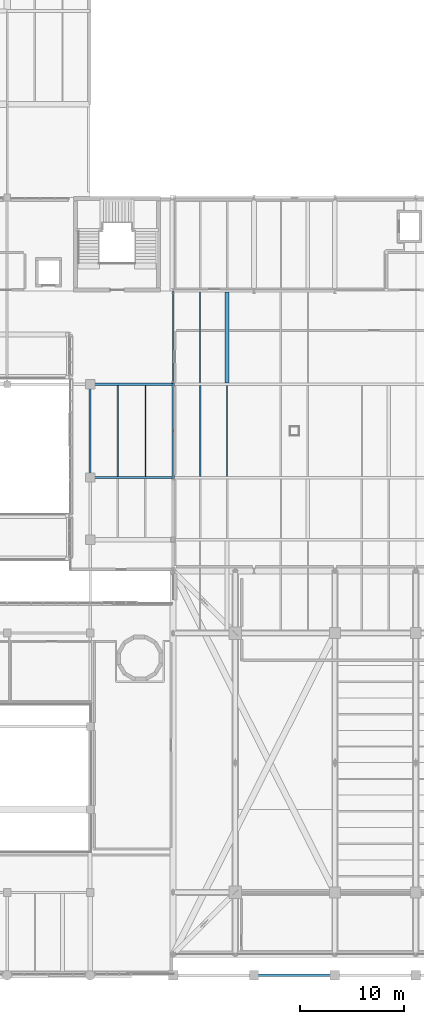
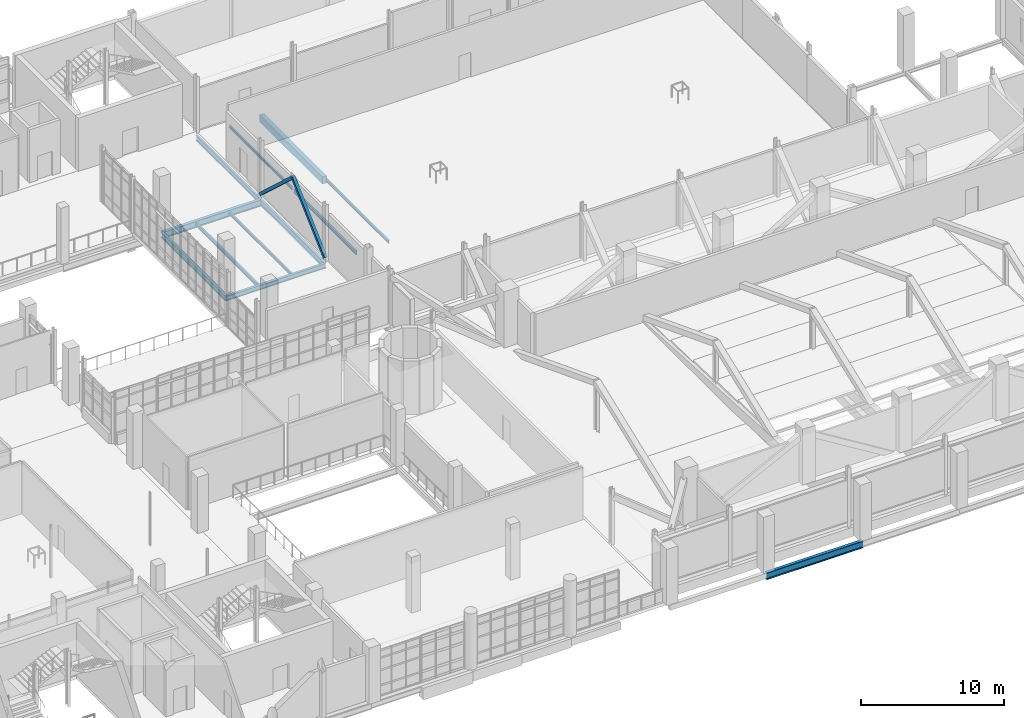
# One storey, part 39 of 127: 12 beams, 2 members.
"""IFC4 building model written with IfcOpenShell, lengths in metres."""

from ifc_helpers import new_model, si_unit, derived_unit, direction, frame, origin, origin_2d, place, context, subcontext, project, spatial, rectangle, hollow_rectangle, i_section, extrude, material, material_profile, profile_set, type_object, element, save


model = new_model("IFC4")

# Units and contexts
model_context = context("Model", 3, precision=1e-05, world=origin(), true_north=direction((0.0, 1.0)))
body_context = subcontext(model_context, "Body", "Model", "MODEL_VIEW")
ifc_project = project(units=[si_unit("LENGTHUNIT", "METRE"), si_unit("AREAUNIT", "SQUARE_METRE"), si_unit("VOLUMEUNIT", "CUBIC_METRE"), si_unit("PLANEANGLEUNIT", "RADIAN"), si_unit("MASSUNIT", "GRAM", prefix="KILO"), derived_unit("THERMALTRANSMITTANCEUNIT", [(si_unit("POWERUNIT", "WATT"), 1), (si_unit("LENGTHUNIT", "METRE"), -2), (si_unit("THERMODYNAMICTEMPERATUREUNIT", "KELVIN"), -1)])], contexts=[model_context])

# Site, building, storey
site_placement = place(None, origin())
site = spatial("IfcSite", under=ifc_project, at=site_placement, CompositionType="ELEMENT")
building_placement = place(site_placement, origin())
building = spatial("IfcBuilding", under=site, at=building_placement, Name="Nallur Shell Playhouse", CompositionType="ELEMENT")
storey_placement = place(building_placement, frame((0.0, 0.0, 5.39990234375)))
storey = spatial("IfcBuildingStorey", under=building, at=storey_placement, Name="L02", CompositionType="ELEMENT", Elevation=5.39990234375)

# Beams
ifc_material_1 = material(Name="Steel E250", Category="steel")
ifc_material_profile_1 = material_profile(ifc_material_1, i_section(OverallWidth=0.110107421875, OverallDepth=0.22509765625, WebThickness=0.006591796875, FlangeThickness=0.01171875, FilletRadius=0.011962890625, at=origin_2d()), Name="ISMB 225")
ifc_profile_set_1 = profile_set([ifc_material_profile_1], Name="Steel E250")
beam_type_1 = type_object("IfcBeamType", Name="BM-JST-ISMB225", PredefinedType="JOIST", material=ifc_profile_set_1)
beam_1_placement = place(storey_placement, frame((66.60009765625, 65.123046875, -0.392333984375), z_axis=(0.0, 1.0, 0.0), x_axis=(-1.0, 0.0, 0.0)))
element("IfcBeam", 1, at=beam_1_placement, inside=storey, type_object=beam_type_1, Name="L02 secondary joist 8-H-539", PredefinedType="JOIST", context=body_context, shape_type="SweptSolid", body=[
    extrude(i_section(OverallWidth=0.110107421875, OverallDepth=0.22509765625, WebThickness=0.006591796875, FlangeThickness=0.01171875, FilletRadius=0.011962890625, at=origin_2d()), origin(), (0.0, 0.0, 1.0), 8.779052734375),
])
ifc_material_profile_2 = material_profile(ifc_material_1, i_section(OverallWidth=0.125, OverallDepth=0.25, WebThickness=0.0068359375, FlangeThickness=0.012451171875, FilletRadius=0.012939453125, at=origin_2d()), Name="ISMB 250")
ifc_profile_set_2 = profile_set([ifc_material_profile_2], Name="Steel E250")
beam_type_2 = type_object("IfcBeamType", Name="BM-JST-ISMB250", PredefinedType="JOIST", material=ifc_profile_set_2)
beam_2_placement = place(storey_placement, frame((61.333251953125, 56.097900390625, -0.40478515625), z_axis=(0.0, 1.0, 0.0), x_axis=(-1.0, 0.0, 0.0)))
element("IfcBeam", 2, at=beam_2_placement, inside=storey, type_object=beam_type_2, Name="L02 secondary joist 7-G-532", PredefinedType="JOIST", context=body_context, shape_type="SweptSolid", body=[
    extrude(i_section(OverallWidth=0.125, OverallDepth=0.25, WebThickness=0.0068359375, FlangeThickness=0.012451171875, FilletRadius=0.012939453125, at=origin_2d()), origin(), (0.0, 0.0, 1.0), 8.779052734375),
])
beam_3_placement = place(storey_placement, frame((69.199951171875, 56.123046875, -0.40478515625), z_axis=(0.0, 1.0, 0.0), x_axis=(-1.0, 0.0, 0.0)))
element("IfcBeam", 3, at=beam_3_placement, inside=storey, type_object=beam_type_2, Name="L02 secondary joist 8-G-538", PredefinedType="JOIST", context=body_context, shape_type="SweptSolid", body=[
    extrude(i_section(OverallWidth=0.125, OverallDepth=0.25, WebThickness=0.0068359375, FlangeThickness=0.012451171875, FilletRadius=0.012939453125, at=origin_2d()), origin(), (0.0, 0.0, 1.0), 8.75390625),
])
ifc_material_profile_3 = material_profile(ifc_material_1, i_section(OverallWidth=0.139892578125, OverallDepth=0.300048828125, WebThickness=0.0078125, FlangeThickness=0.01318359375, FilletRadius=0.013916015625, at=origin_2d()), Name="ISMB 300")
ifc_profile_set_3 = profile_set([ifc_material_profile_3], Name="Steel E250")
beam_type_3 = type_object("IfcBeamType", Name="BM-JST-ISMB300", PredefinedType="JOIST", material=ifc_profile_set_3)
beam_4_placement = place(storey_placement, frame((58.666748046875, 56.097900390625, -0.429931640625), z_axis=(0.0, 1.0, 0.0), x_axis=(-1.0, 0.0, 0.0)))
element("IfcBeam", 4, at=beam_4_placement, inside=storey, type_object=beam_type_3, Name="L02 secondary joist 7-G-531", PredefinedType="JOIST", context=body_context, shape_type="SweptSolid", body=[
    extrude(i_section(OverallWidth=0.139892578125, OverallDepth=0.300048828125, WebThickness=0.0078125, FlangeThickness=0.01318359375, FilletRadius=0.013916015625, at=origin_2d()), origin(), (0.0, 0.0, 1.0), 8.779052734375),
])
beam_5_placement = place(storey_placement, frame((66.60009765625, 56.123046875, -0.429931640625), z_axis=(0.0, 1.0, 0.0), x_axis=(-1.0, 0.0, 0.0)))
element("IfcBeam", 5, at=beam_5_placement, inside=storey, type_object=beam_type_3, Name="L02 secondary joist 8-G-537", PredefinedType="JOIST", context=body_context, shape_type="SweptSolid", body=[
    extrude(i_section(OverallWidth=0.139892578125, OverallDepth=0.300048828125, WebThickness=0.0078125, FlangeThickness=0.01318359375, FilletRadius=0.013916015625, at=origin_2d()), origin(), (0.0, 0.0, 1.0), 8.75390625),
])
ifc_material_2 = material(Name="Concrete M30", Category="concrete")
ifc_material_profile_4 = material_profile(ifc_material_2, rectangle(XDim=0.35009765625, YDim=0.60009765625, at=origin_2d()), Name="RC 350x600")
ifc_profile_set_4 = profile_set([ifc_material_profile_4], Name="Concrete M30")
beam_type_4 = type_object("IfcBeamType", Name="BM-RC-350x600", PredefinedType="JOIST", material=ifc_profile_set_4)
beam_6_placement = place(storey_placement, frame((69.199951171875, 65.123046875, -0.579833984375), z_axis=(0.0, 1.0, 0.0), x_axis=(-1.0, 0.0, 0.0)))
element("IfcBeam", 6, at=beam_6_placement, inside=storey, type_object=beam_type_4, Name="L02 secondary joist 8-H-540", PredefinedType="JOIST", context=body_context, shape_type="SweptSolid", body=[
    extrude(rectangle(XDim=0.35009765625, YDim=0.60009765625, at=origin_2d()), origin(), (0.0, 0.0, 1.0), 8.779052734375),
])
ifc_material_3 = material(Name="Steel E350", Category="steel")
ifc_material_profile_5 = material_profile(ifc_material_3, i_section(OverallWidth=0.14990234375, OverallDepth=0.449951171875, WebThickness=0.009521484375, FlangeThickness=0.017333984375, FilletRadius=0.014892578125, at=origin_2d()), Name="ISMB 450")
ifc_profile_set_5 = profile_set([ifc_material_profile_5], Name="Steel E350")
beam_type_5 = type_object("IfcBeamType", Name="BM-ST-ISMB450", PredefinedType="BEAM", material=ifc_profile_set_5)
beam_7_placement = place(storey_placement, frame((64.0, 65.0, -0.5048828125), z_axis=(0.0, 1.0, 0.0), x_axis=(-1.0, 0.0, 0.0)))
element("IfcBeam", 7, at=beam_7_placement, inside=storey, type_object=beam_type_5, Name="L02 girder Y-8-443", PredefinedType="BEAM", context=body_context, shape_type="SweptSolid", body=[
    extrude(i_section(OverallWidth=0.14990234375, OverallDepth=0.449951171875, WebThickness=0.009521484375, FlangeThickness=0.017333984375, FilletRadius=0.014892578125, at=origin_2d()), origin(), (0.0, 0.0, 1.0), 9.0),
])
ifc_material_profile_6 = material_profile(ifc_material_3, i_section(OverallWidth=0.179931640625, OverallDepth=0.5, WebThickness=0.01025390625, FlangeThickness=0.01708984375, FilletRadius=0.01708984375, at=origin_2d()), Name="ISMB 500")
ifc_profile_set_6 = profile_set([ifc_material_profile_6], Name="Steel E350")
beam_type_6 = type_object("IfcBeamType", Name="BM-ST-ISMB500", PredefinedType="BEAM", material=ifc_profile_set_6)
beam_8_placement = place(storey_placement, frame((64.0, 56.0, -0.52978515625), z_axis=(0.0, 1.0, 0.0), x_axis=(-1.0, 0.0, 0.0)))
element("IfcBeam", 8, at=beam_8_placement, inside=storey, type_object=beam_type_6, Name="L02 girder Y-8-442", PredefinedType="BEAM", context=body_context, shape_type="SweptSolid", body=[
    extrude(i_section(OverallWidth=0.179931640625, OverallDepth=0.5, WebThickness=0.01025390625, FlangeThickness=0.01708984375, FilletRadius=0.01708984375, at=origin_2d()), origin(), (0.0, 0.0, 1.0), 9.0),
])
ifc_material_profile_7 = material_profile(ifc_material_3, i_section(OverallWidth=0.199951171875, OverallDepth=0.39990234375, WebThickness=0.008544921875, FlangeThickness=0.012939453125, FilletRadius=0.012939453125, at=origin_2d()), Name="ISWB 400")
ifc_profile_set_7 = profile_set([ifc_material_profile_7], Name="Steel E350")
beam_type_7 = type_object("IfcBeamType", Name="BM-ST-ISWB400", PredefinedType="BEAM", material=ifc_profile_set_7)
beam_9_placement = place(storey_placement, frame((56.0, 56.0, -0.47998046875), z_axis=(1.0, 0.0, 0.0), x_axis=(0.0, 1.0, 0.0)))
element("IfcBeam", 9, at=beam_9_placement, inside=storey, type_object=beam_type_7, Name="L02 girder X-G-357", PredefinedType="BEAM", context=body_context, shape_type="SweptSolid", body=[
    extrude(i_section(OverallWidth=0.199951171875, OverallDepth=0.39990234375, WebThickness=0.008544921875, FlangeThickness=0.012939453125, FilletRadius=0.012939453125, at=origin_2d()), origin(), (0.0, 0.0, 1.0), 8.0),
])
ifc_material_profile_8 = material_profile(ifc_material_3, i_section(OverallWidth=0.199951171875, OverallDepth=0.449951171875, WebThickness=0.00927734375, FlangeThickness=0.015380859375, FilletRadius=0.013916015625, at=origin_2d()), Name="ISWB 450")
ifc_profile_set_8 = profile_set([ifc_material_profile_8], Name="Steel E350")
beam_type_8 = type_object("IfcBeamType", Name="BM-ST-ISWB450", PredefinedType="BEAM", material=ifc_profile_set_8)
beam_10_placement = place(storey_placement, frame((56.0, 56.0, -0.5048828125), z_axis=(0.0, 1.0, 0.0), x_axis=(-1.0, 0.0, 0.0)))
element("IfcBeam", 10, at=beam_10_placement, inside=storey, type_object=beam_type_8, Name="L02 girder Y-7-436", PredefinedType="BEAM", context=body_context, shape_type="SweptSolid", body=[
    extrude(i_section(OverallWidth=0.199951171875, OverallDepth=0.449951171875, WebThickness=0.00927734375, FlangeThickness=0.015380859375, FilletRadius=0.013916015625, at=origin_2d()), origin(), (0.0, 0.0, 1.0), 9.0),
])
ifc_material_profile_9 = material_profile(ifc_material_3, i_section(OverallWidth=0.25, OverallDepth=0.550048828125, WebThickness=0.010498046875, FlangeThickness=0.017578125, FilletRadius=0.01611328125, at=origin_2d()), Name="ISWB 550")
ifc_profile_set_9 = profile_set([ifc_material_profile_9], Name="Steel E350")
beam_type_9 = type_object("IfcBeamType", Name="BM-ST-ISWB550", PredefinedType="BEAM", material=ifc_profile_set_9)
beam_11_placement = place(storey_placement, frame((56.0, 65.0, -0.554931640625), z_axis=(1.0, 0.0, 0.0), x_axis=(0.0, 1.0, 0.0)))
element("IfcBeam", 11, at=beam_11_placement, inside=storey, type_object=beam_type_9, Name="L02 girder X-H-370", PredefinedType="BEAM", context=body_context, shape_type="SweptSolid", body=[
    extrude(i_section(OverallWidth=0.25, OverallDepth=0.550048828125, WebThickness=0.010498046875, FlangeThickness=0.017578125, FilletRadius=0.01611328125, at=origin_2d()), origin(), (0.0, 0.0, 1.0), 8.0),
])
ifc_material_profile_10 = material_profile(ifc_material_3, i_section(OverallWidth=0.25, OverallDepth=0.60009765625, WebThickness=0.01171875, FlangeThickness=0.023681640625, FilletRadius=0.01708984375, at=origin_2d()), Name="ISWB 600")
ifc_profile_set_10 = profile_set([ifc_material_profile_10], Name="Steel E350")
beam_type_10 = type_object("IfcBeamType", Name="BM-ST-ISWB600", PredefinedType="BEAM", material=ifc_profile_set_10)
beam_12_placement = place(storey_placement, frame((71.800048828125, 8.0, -0.579833984375), z_axis=(1.0, 0.0, 0.0), x_axis=(0.0, 1.0, 0.0)))
element("IfcBeam", 12, at=beam_12_placement, inside=storey, type_object=beam_type_10, Name="L02 girder X-A-321", PredefinedType="BEAM", context=body_context, shape_type="SweptSolid", body=[
    extrude(i_section(OverallWidth=0.25, OverallDepth=0.60009765625, WebThickness=0.01171875, FlangeThickness=0.023681640625, FilletRadius=0.01708984375, at=origin_2d()), origin(), (0.0, 0.0, 1.0), 7.800048828125),
])

# Members
ifc_material_profile_11 = material_profile(ifc_material_3, hollow_rectangle(XDim=0.25, YDim=0.25, WallThickness=0.011962890625, at=origin_2d()), Name="SHS 250x250x12")
ifc_profile_set_11 = profile_set([ifc_material_profile_11], Name="Steel E350")
member_type = type_object("IfcMemberType", Name="MB-FT-BRACE1", PredefinedType="BRACE", material=ifc_profile_set_11)
for number, where, z_axis, x_axis, name in (
    (13, (64.0, 56.0, 0.150146484375), (0.0, 0.735939765256, 0.677047016029), (-1.0, 0.0, 0.0), "Stage fly tower concentric brace BR-FT-L02-009"),
    (14, (64.0, 65.0, 0.150146484375), (0.0, -0.735939765256, 0.677047016029), (1.0, 0.0, 0.0), "Stage fly tower concentric brace BR-FT-L02-010"),
):
    element("IfcMember", number, at=place(storey_placement, frame(where, z_axis=z_axis, x_axis=x_axis)), inside=storey, type_object=member_type, Name=name, PredefinedType="BRACE", context=body_context, shape_type="SweptSolid", body=[
        extrude(hollow_rectangle(XDim=0.25, YDim=0.25, WallThickness=0.011962890625, at=origin_2d()), origin(), (0.0, 0.0, 1.0), 6.11474609375),
    ])

save(model, "model.ifc")
